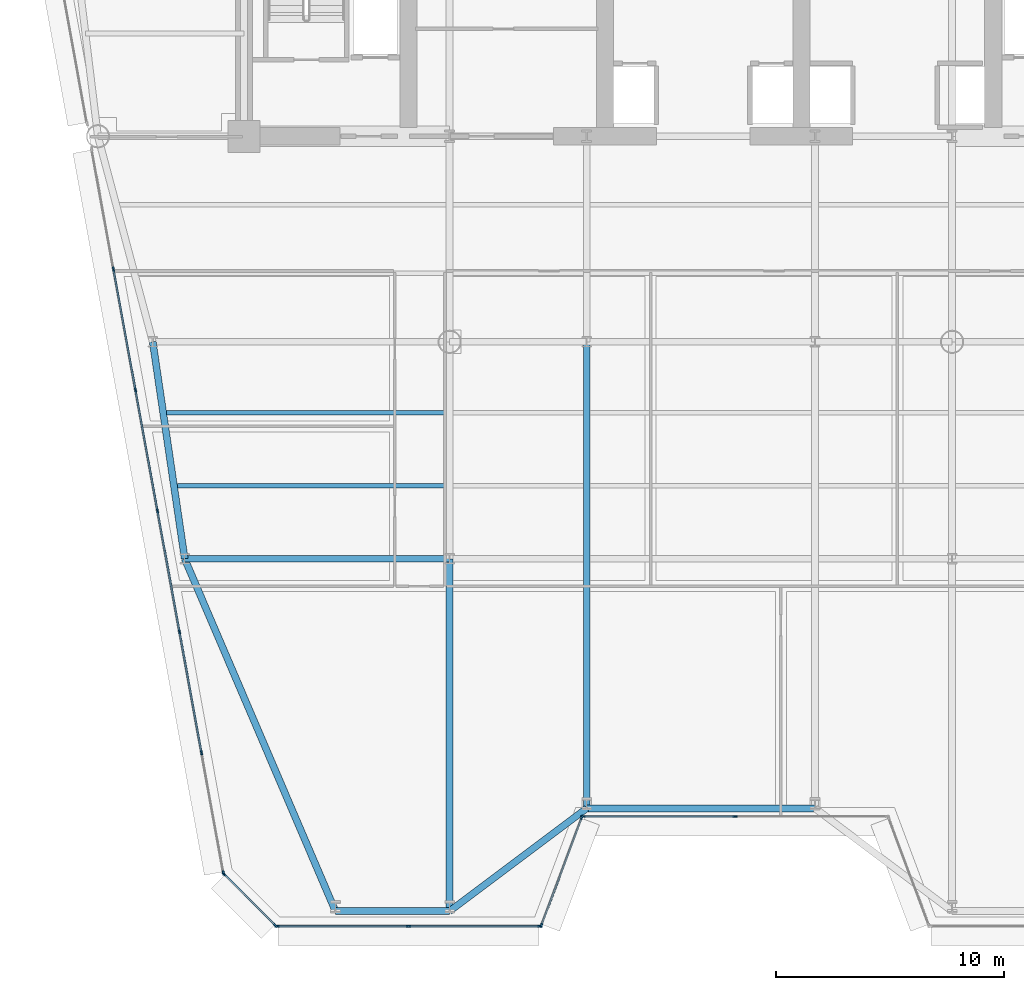
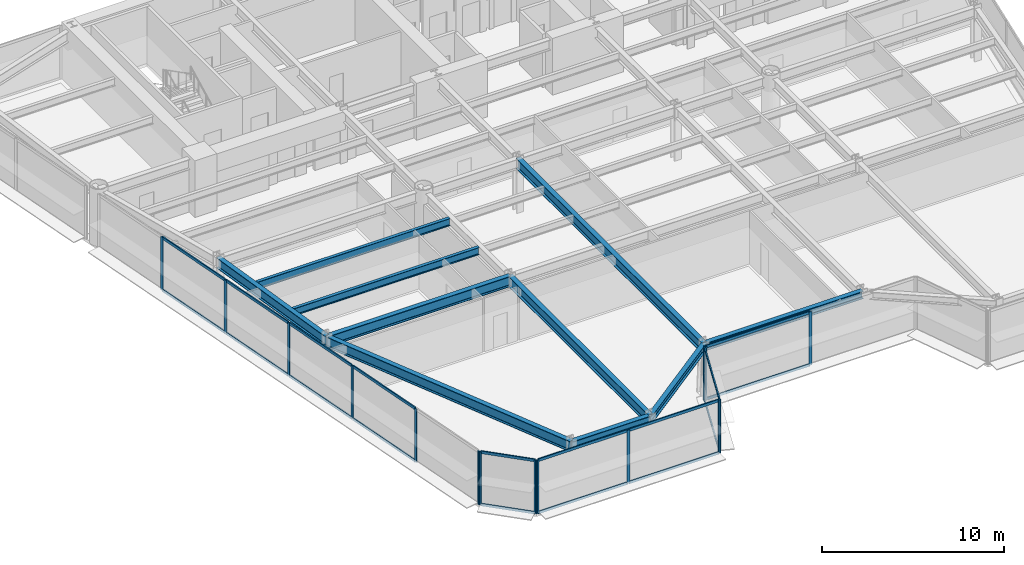
# One storey, part 2 of 14: 33 members, 10 beams, 5 elements without a shape of their own.
"""IFC4 building model written with IfcOpenShell, lengths in metres."""

from ifc_helpers import new_model, si_unit, direction, frame, origin, origin_2d, place, context, subcontext, project, spatial, rectangle, i_section, extrude, source, transform, mapped, material, layer, layer_set, material_profile, profile_set, type_object, element, aggregate, save


model = new_model("IFC4")

# Units and contexts
model_context = context("Model", 3, precision=1e-05, world=origin(), true_north=direction((0.0, 1.0)))
body_context = subcontext(model_context, "Body", "Model", "MODEL_VIEW")
ifc_project = project(units=[si_unit("LENGTHUNIT", "METRE"), si_unit("AREAUNIT", "SQUARE_METRE"), si_unit("VOLUMEUNIT", "CUBIC_METRE"), si_unit("PLANEANGLEUNIT", "RADIAN"), si_unit("MASSUNIT", "GRAM", prefix="KILO")], contexts=[model_context])

# Site, building, storey
site_placement = place(None, origin())
site = spatial("IfcSite", under=ifc_project, at=site_placement, CompositionType="ELEMENT")
building_placement = place(site_placement, origin())
building = spatial("IfcBuilding", under=site, at=building_placement, Name="Vaeldorn Concourse Tower", CompositionType="ELEMENT")
storey_placement = place(building_placement, frame((0.0, 0.0, 114.800048828125)))
storey = spatial("IfcBuildingStorey", under=building, at=storey_placement, Name="L29", CompositionType="ELEMENT", Elevation=114.800048828125)

# Beams
ifc_material_1 = material(Name="Steel S355", Category="steel")
ifc_material_profile_1 = material_profile(ifc_material_1, i_section(OverallWidth=0.199951171875, OverallDepth=0.5, WebThickness=0.01025390625, FlangeThickness=0.01611328125, FilletRadius=0.02099609375, at=origin_2d()), Name="IPE 500")
ifc_profile_set_1 = profile_set([ifc_material_profile_1], Name="Steel S355")
beam_type_1 = type_object("IfcBeamType", Name="BM-JS-IPE500", PredefinedType="JOIST", material=ifc_profile_set_1)
shared_shape_1 = source(origin(), body_context, "Body", "SweptSolid", [
    extrude(i_section(OverallWidth=0.199951171875, OverallDepth=0.5, WebThickness=0.01025390625, FlangeThickness=0.01611328125, FilletRadius=0.02099609375, at=origin_2d()), origin(), (0.0, 0.0, 1.0), 11.771728515625),
])
beam_1_placement = place(storey_placement, frame((11.078369140625, 21.199951171875, 3.329833984375), z_axis=(1.0, 0.0, 0.0), x_axis=(0.0, 1.0, 0.0)))
element("IfcBeam", 1, at=beam_1_placement, inside=storey, type_object=beam_type_1, Name="Beam JS-L29-W1-212", PredefinedType="JOIST", context=body_context, shape_type="MappedRepresentation", body=[
    mapped(shared_shape_1, transform((0.0, 0.0, 0.0), scale=1.0)),
])
shared_shape_2 = source(origin(), body_context, "Body", "SweptSolid", [
    extrude(i_section(OverallWidth=0.199951171875, OverallDepth=0.5, WebThickness=0.01025390625, FlangeThickness=0.01611328125, FilletRadius=0.02099609375, at=origin_2d()), origin(), (0.0, 0.0, 1.0), 12.243408203125),
])
beam_2_placement = place(storey_placement, frame((10.606689453125, 24.39990234375, 3.329833984375), z_axis=(1.0, 0.0, 0.0), x_axis=(0.0, 1.0, 0.0)))
element("IfcBeam", 2, at=beam_2_placement, inside=storey, type_object=beam_type_1, Name="Beam JS-L29-W1-244", PredefinedType="JOIST", context=body_context, shape_type="MappedRepresentation", body=[
    mapped(shared_shape_2, transform((0.0, 0.0, 0.0), scale=1.0)),
])
ifc_material_profile_2 = material_profile(ifc_material_1, i_section(OverallWidth=0.300048828125, OverallDepth=0.5, WebThickness=0.014404296875, FlangeThickness=0.028076171875, FilletRadius=0.027099609375, at=origin_2d()), Name="HEB 500")
ifc_profile_set_2 = profile_set([ifc_material_profile_2], Name="Steel S355")
beam_type_2 = type_object("IfcBeamType", Name="BM-SP-HEB500", PredefinedType="SPANDREL", material=ifc_profile_set_2)
shared_shape_3 = source(origin(), body_context, "Body", "SweptSolid", [
    extrude(i_section(OverallWidth=0.300048828125, OverallDepth=0.5, WebThickness=0.014404296875, FlangeThickness=0.028076171875, FilletRadius=0.027099609375, at=origin_2d()), origin(), (0.0, 0.0, 1.0), 5.0),
])
beam_3_placement = place(storey_placement, frame((18.0, 2.573486328125, 3.329833984375), z_axis=(1.0, 0.0, 0.0), x_axis=(0.0, 1.0, 0.0)))
element("IfcBeam", 3, at=beam_3_placement, inside=storey, type_object=beam_type_2, Name="Beam BM-L29-C-SF1-C-SF2", PredefinedType="SPANDREL", context=body_context, shape_type="MappedRepresentation", body=[
    mapped(shared_shape_3, transform((0.0, 0.0, 0.0), scale=1.0)),
])
shared_shape_4 = source(origin(), body_context, "Body", "SweptSolid", [
    extrude(i_section(OverallWidth=0.300048828125, OverallDepth=0.5, WebThickness=0.014404296875, FlangeThickness=0.028076171875, FilletRadius=0.027099609375, at=origin_2d()), origin(), (0.0, 0.0, 1.0), 7.5),
])
beam_4_placement = place(storey_placement, frame((23.0, 2.573486328125, 3.329833984375), z_axis=(0.8, 0.6, 0.0), x_axis=(-0.6, 0.8, 0.0)))
element("IfcBeam", 4, at=beam_4_placement, inside=storey, type_object=beam_type_2, Name="Beam BM-L29-C-SF2-C-SF3", PredefinedType="SPANDREL", context=body_context, shape_type="MappedRepresentation", body=[
    mapped(shared_shape_4, transform((0.0, 0.0, 0.0), scale=1.0)),
])
shared_shape_5 = source(origin(), body_context, "Body", "SweptSolid", [
    extrude(i_section(OverallWidth=0.300048828125, OverallDepth=0.5, WebThickness=0.014404296875, FlangeThickness=0.028076171875, FilletRadius=0.027099609375, at=origin_2d()), origin(), (0.0, 0.0, 1.0), 10.0),
])
beam_5_placement = place(storey_placement, frame((29.0, 7.073486328125, 3.329833984375), z_axis=(1.0, 0.0, 0.0), x_axis=(0.0, 1.0, 0.0)))
element("IfcBeam", 5, at=beam_5_placement, inside=storey, type_object=beam_type_2, Name="Beam BM-L29-C-SF3-C-SF4", PredefinedType="SPANDREL", context=body_context, shape_type="MappedRepresentation", body=[
    mapped(shared_shape_5, transform((0.0, 0.0, 0.0), scale=1.0)),
])
ifc_material_profile_3 = material_profile(ifc_material_1, i_section(OverallWidth=0.300048828125, OverallDepth=0.699951171875, WebThickness=0.01708984375, FlangeThickness=0.031982421875, FilletRadius=0.027099609375, at=origin_2d()), Name="HEB 700")
ifc_profile_set_3 = profile_set([ifc_material_profile_3], Name="Steel S355")
beam_type_3 = type_object("IfcBeamType", Name="BM-PG-HEB700", PredefinedType="BEAM", material=ifc_profile_set_3)
shared_shape_6 = source(origin(), body_context, "Body", "SweptSolid", [
    extrude(i_section(OverallWidth=0.300048828125, OverallDepth=0.699951171875, WebThickness=0.01708984375, FlangeThickness=0.031982421875, FilletRadius=0.027099609375, at=origin_2d()), origin(), (0.0, 0.0, 1.0), 9.6025390625),
])
beam_6_placement = place(storey_placement, frame((10.0, 27.5, 3.22998046875), z_axis=(0.145783835977, -0.989316467652, 0.0), x_axis=(0.989316467652, 0.145783835977, 0.0)))
element("IfcBeam", 6, at=beam_6_placement, inside=storey, type_object=beam_type_3, Name="Beam BM-L29-C-FLW1-C-FLW2", PredefinedType="BEAM", context=body_context, shape_type="MappedRepresentation", body=[
    mapped(shared_shape_6, transform((0.0, 0.0, 0.0), scale=1.0)),
])
shared_shape_7 = source(origin(), body_context, "Body", "SweptSolid", [
    extrude(i_section(OverallWidth=0.300048828125, OverallDepth=0.699951171875, WebThickness=0.01708984375, FlangeThickness=0.031982421875, FilletRadius=0.027099609375, at=origin_2d()), origin(), (0.0, 0.0, 1.0), 11.60009765625),
])
beam_7_placement = place(storey_placement, frame((11.39990234375, 18.0, 3.22998046875), z_axis=(1.0, 0.0, 0.0), x_axis=(0.0, 1.0, 0.0)))
element("IfcBeam", 7, at=beam_7_placement, inside=storey, type_object=beam_type_3, Name="Beam BM-L29-C-FLW2-C-TW5", PredefinedType="BEAM", context=body_context, shape_type="MappedRepresentation", body=[
    mapped(shared_shape_7, transform((0.0, 0.0, 0.0), scale=1.0)),
])
shared_shape_8 = source(origin(), body_context, "Body", "SweptSolid", [
    extrude(i_section(OverallWidth=0.300048828125, OverallDepth=0.699951171875, WebThickness=0.01708984375, FlangeThickness=0.031982421875, FilletRadius=0.027099609375, at=origin_2d()), origin(), (0.0, 0.0, 1.0), 16.779052734375),
])
beam_8_placement = place(storey_placement, frame((18.0, 2.573486328125, 3.22998046875), z_axis=(-0.393352013889, 0.919387944869, 0.0), x_axis=(-0.919387944869, -0.393352013889, 0.0)))
element("IfcBeam", 8, at=beam_8_placement, inside=storey, type_object=beam_type_3, Name="Beam BM-L29-C-SF1-C-FLW2", PredefinedType="BEAM", context=body_context, shape_type="MappedRepresentation", body=[
    mapped(shared_shape_8, transform((0.0, 0.0, 0.0), scale=1.0)),
])
shared_shape_9 = source(origin(), body_context, "Body", "SweptSolid", [
    extrude(i_section(OverallWidth=0.300048828125, OverallDepth=0.699951171875, WebThickness=0.01708984375, FlangeThickness=0.031982421875, FilletRadius=0.027099609375, at=origin_2d()), origin(), (0.0, 0.0, 1.0), 15.426513671875),
])
beam_9_placement = place(storey_placement, frame((23.0, 2.573486328125, 3.22998046875), z_axis=(0.0, 1.0, 0.0), x_axis=(-1.0, 0.0, 0.0)))
element("IfcBeam", 9, at=beam_9_placement, inside=storey, type_object=beam_type_3, Name="Beam BM-L29-C-SF2-C-TW5", PredefinedType="BEAM", context=body_context, shape_type="MappedRepresentation", body=[
    mapped(shared_shape_9, transform((0.0, 0.0, 0.0), scale=1.0)),
])
shared_shape_10 = source(origin(), body_context, "Body", "SweptSolid", [
    extrude(i_section(OverallWidth=0.300048828125, OverallDepth=0.699951171875, WebThickness=0.01708984375, FlangeThickness=0.031982421875, FilletRadius=0.027099609375, at=origin_2d()), origin(), (0.0, 0.0, 1.0), 20.426513671875),
])
beam_10_placement = place(storey_placement, frame((29.0, 7.073486328125, 3.22998046875), z_axis=(0.0, 1.0, 0.0), x_axis=(-1.0, 0.0, 0.0)))
element("IfcBeam", 10, at=beam_10_placement, inside=storey, type_object=beam_type_3, Name="Beam BM-L29-C-SF3-C-TW2", PredefinedType="BEAM", context=body_context, shape_type="MappedRepresentation", body=[
    mapped(shared_shape_10, transform((0.0, 0.0, 0.0), scale=1.0)),
])

# Curtain wall, members
ifc_material_2 = material(Name="Anodised Bronze Aluminium", Category="aluminium")
ifc_layer = layer(ifc_material_2, 0.199951171875)
ifc_layer_set = layer_set([ifc_layer], Name="Anodised Bronze Aluminium")
curtain_wall_type = type_object("IfcCurtainWallType", Name="CW-SYS-02", PredefinedType="NOTDEFINED", material=ifc_layer_set)
curtain_wall_1_placement = place(storey_placement, origin())
curtain_wall_1 = element("IfcCurtainWall", 11, at=curtain_wall_1_placement, inside=storey, type_object=curtain_wall_type, Name="Unitised Curtain Wall CW-L29-E02-1", PredefinedType="NOTDEFINED")
ifc_material_profile_4 = material_profile(ifc_material_2, rectangle(XDim=0.074951171875, YDim=0.179931640625, at=origin_2d()), Name="CWT 75x180")
ifc_profile_set_4 = profile_set([ifc_material_profile_4], Name="Anodised Bronze Aluminium")
member_type_1 = type_object("IfcMemberType", Name="CWT-BRONZE-180", PredefinedType="USERDEFINED", material=ifc_profile_set_4)
shared_shape_11 = source(origin(), body_context, "Body", "SweptSolid", [
    extrude(rectangle(XDim=0.074951171875, YDim=0.179931640625, at=origin_2d()), origin(), (0.0, 0.0, 1.0), 4.976318359375),
])
member_1_placement = place(storey_placement, frame((27.0263671875, 1.98291015625, 0.037353515625), z_axis=(0.351128818119, 0.936327161352, 0.0), x_axis=(-0.936327161352, 0.351128818119, 0.0)))
member_1 = element("IfcMember", 12, at=member_1_placement, type_object=member_type_1, Name="CW-02 transom 1.1", ObjectType="TRANSOM", PredefinedType="USERDEFINED", context=body_context, shape_type="MappedRepresentation", body=[
    mapped(shared_shape_11, transform((0.0, 0.0, 0.0), scale=1.0)),
])
member_2_placement = place(storey_placement, frame((27.0263671875, 1.98291015625, 3.54248046875), z_axis=(0.351128818119, 0.936327161352, 0.0), x_axis=(-0.936327161352, 0.351128818119, 0.0)))
member_2 = element("IfcMember", 13, at=member_2_placement, type_object=member_type_1, Name="CW-02 transom 1.2", ObjectType="TRANSOM", PredefinedType="USERDEFINED", context=body_context, shape_type="MappedRepresentation", body=[
    mapped(shared_shape_11, transform((0.0, 0.0, 0.0), scale=1.0)),
])

curtain_wall_2_placement = place(storey_placement, origin())
curtain_wall_2 = element("IfcCurtainWall", 14, at=curtain_wall_2_placement, inside=storey, type_object=curtain_wall_type, Name="Unitised Curtain Wall CW-L29-E03-1", PredefinedType="NOTDEFINED")
shared_shape_12 = source(origin(), body_context, "Body", "SweptSolid", [
    extrude(rectangle(XDim=0.074951171875, YDim=0.179931640625, at=origin_2d()), origin(), (0.0, 0.0, 1.0), 6.58740234375),
])
member_3_placement = place(storey_placement, frame((28.875, 6.712646484375, 0.037353515625), z_axis=(1.0, 0.0, 0.0), x_axis=(0.0, 1.0, 0.0)))
member_3 = element("IfcMember", 15, at=member_3_placement, type_object=member_type_1, Name="CW-02 transom 1.1", ObjectType="TRANSOM", PredefinedType="USERDEFINED", context=body_context, shape_type="MappedRepresentation", body=[
    mapped(shared_shape_12, transform((0.0, 0.0, 0.0), scale=1.0)),
])
member_4_placement = place(storey_placement, frame((28.875, 6.712646484375, 3.54248046875), z_axis=(1.0, 0.0, 0.0), x_axis=(0.0, 1.0, 0.0)))
member_4 = element("IfcMember", 16, at=member_4_placement, type_object=member_type_1, Name="CW-02 transom 1.2", ObjectType="TRANSOM", PredefinedType="USERDEFINED", context=body_context, shape_type="MappedRepresentation", body=[
    mapped(shared_shape_12, transform((0.0, 0.0, 0.0), scale=1.0)),
])

curtain_wall_3_placement = place(storey_placement, origin())
curtain_wall_3 = element("IfcCurtainWall", 17, at=curtain_wall_3_placement, inside=storey, type_object=curtain_wall_type, Name="Unitised Curtain Wall CW-L29-E12-1", PredefinedType="NOTDEFINED")
shared_shape_13 = source(origin(), body_context, "Body", "SweptSolid", [
    extrude(rectangle(XDim=0.074951171875, YDim=0.179931640625, at=origin_2d()), origin(), (0.0, 0.0, 1.0), 3.10302734375),
])
member_5_placement = place(storey_placement, frame((13.15234375, 4.15966796875, 0.037353515625), z_axis=(0.707106781187, -0.707106781187, 0.0), x_axis=(0.707106781187, 0.707106781187, 0.0)))
member_5 = element("IfcMember", 18, at=member_5_placement, type_object=member_type_1, Name="CW-02 transom 1.1", ObjectType="TRANSOM", PredefinedType="USERDEFINED", context=body_context, shape_type="MappedRepresentation", body=[
    mapped(shared_shape_13, transform((0.0, 0.0, 0.0), scale=1.0)),
])
member_6_placement = place(storey_placement, frame((13.15234375, 4.15966796875, 3.54248046875), z_axis=(0.707106781187, -0.707106781187, 0.0), x_axis=(0.707106781187, 0.707106781187, 0.0)))
member_6 = element("IfcMember", 19, at=member_6_placement, type_object=member_type_1, Name="CW-02 transom 1.2", ObjectType="TRANSOM", PredefinedType="USERDEFINED", context=body_context, shape_type="MappedRepresentation", body=[
    mapped(shared_shape_13, transform((0.0, 0.0, 0.0), scale=1.0)),
])

curtain_wall_4_placement = place(storey_placement, origin())
curtain_wall_4 = element("IfcCurtainWall", 20, at=curtain_wall_4_placement, inside=storey, type_object=curtain_wall_type, Name="Unitised Curtain Wall CW-L29-E01-1", PredefinedType="NOTDEFINED")
shared_shape_14 = source(origin(), body_context, "Body", "SweptSolid", [
    extrude(rectangle(XDim=0.074951171875, YDim=0.179931640625, at=origin_2d()), origin(), (0.0, 0.0, 1.0), 5.687744140625),
])
member_7_placement = place(storey_placement, frame((15.474365234375, 1.91259765625, 0.037353515625), z_axis=(1.0, 0.0, 0.0), x_axis=(0.0, 1.0, 0.0)))
member_7 = element("IfcMember", 21, at=member_7_placement, type_object=member_type_1, Name="CW-02 transom 1.1", ObjectType="TRANSOM", PredefinedType="USERDEFINED", context=body_context, shape_type="MappedRepresentation", body=[
    mapped(shared_shape_14, transform((0.0, 0.0, 0.0), scale=1.0)),
])
member_8_placement = place(storey_placement, frame((15.474365234375, 1.91259765625, 3.54248046875), z_axis=(1.0, 0.0, 0.0), x_axis=(0.0, 1.0, 0.0)))
member_8 = element("IfcMember", 22, at=member_8_placement, type_object=member_type_1, Name="CW-02 transom 1.2", ObjectType="TRANSOM", PredefinedType="USERDEFINED", context=body_context, shape_type="MappedRepresentation", body=[
    mapped(shared_shape_14, transform((0.0, 0.0, 0.0), scale=1.0)),
])
member_9_placement = place(storey_placement, frame((21.2373046875, 1.91259765625, 0.037353515625), z_axis=(1.0, 0.0, 0.0), x_axis=(0.0, 1.0, 0.0)))
member_9 = element("IfcMember", 23, at=member_9_placement, type_object=member_type_1, Name="CW-02 transom 2.1", ObjectType="TRANSOM", PredefinedType="USERDEFINED", context=body_context, shape_type="MappedRepresentation", body=[
    mapped(shared_shape_14, transform((0.0, 0.0, 0.0), scale=1.0)),
])
member_10_placement = place(storey_placement, frame((21.2373046875, 1.91259765625, 3.54248046875), z_axis=(1.0, 0.0, 0.0), x_axis=(0.0, 1.0, 0.0)))
member_10 = element("IfcMember", 24, at=member_10_placement, type_object=member_type_1, Name="CW-02 transom 2.2", ObjectType="TRANSOM", PredefinedType="USERDEFINED", context=body_context, shape_type="MappedRepresentation", body=[
    mapped(shared_shape_14, transform((0.0, 0.0, 0.0), scale=1.0)),
])
ifc_material_profile_5 = material_profile(ifc_material_2, rectangle(XDim=0.074951171875, YDim=0.18994140625, at=origin_2d()), Name="CWM 75x190")
ifc_profile_set_5 = profile_set([ifc_material_profile_5], Name="Anodised Bronze Aluminium")
member_type_2 = type_object("IfcMemberType", Name="CWM-BRONZE-190", PredefinedType="MULLION", material=ifc_profile_set_5)
shared_shape_15 = source(origin(), body_context, "Body", "SweptSolid", [
    extrude(rectangle(XDim=0.074951171875, YDim=0.18994140625, at=origin_2d()), origin(), (0.0, 0.0, 1.0), 3.579833984375),
])
member_11_placement = place(storey_placement, frame((15.43701171875, 1.91259765625, 0.0), z_axis=(0.0, 0.0, 1.0), x_axis=(0.0, 1.0, 0.0)))
member_11 = element("IfcMember", 25, at=member_11_placement, type_object=member_type_2, Name="CW-02 mullion 1", PredefinedType="MULLION", context=body_context, shape_type="MappedRepresentation", body=[
    mapped(shared_shape_15, transform((0.0, 0.0, 0.0), scale=1.0)),
])
member_12_placement = place(storey_placement, frame((21.19970703125, 1.91259765625, 0.0), z_axis=(0.0, 0.0, 1.0), x_axis=(0.0, 1.0, 0.0)))
member_12 = element("IfcMember", 26, at=member_12_placement, type_object=member_type_2, Name="CW-02 mullion 2", PredefinedType="MULLION", context=body_context, shape_type="MappedRepresentation", body=[
    mapped(shared_shape_15, transform((0.0, 0.0, 0.0), scale=1.0)),
])
member_13_placement = place(storey_placement, frame((26.96240234375, 1.91259765625, 0.0), z_axis=(0.0, 0.0, 1.0), x_axis=(0.0, 1.0, 0.0)))
member_13 = element("IfcMember", 27, at=member_13_placement, type_object=member_type_2, Name="CW-02 mullion 3", PredefinedType="MULLION", context=body_context, shape_type="MappedRepresentation", body=[
    mapped(shared_shape_15, transform((0.0, 0.0, 0.0), scale=1.0)),
])
aggregate(curtain_wall_4, [member_11, member_12, member_13, member_7, member_8, member_9, member_10])

# Member
member_14_placement = place(storey_placement, frame((27.01318359375, 1.94775390625, 0.0), z_axis=(0.0, 0.0, 1.0), x_axis=(-0.936329177566, 0.351123441595, 0.0)))
member_14 = element("IfcMember", 28, at=member_14_placement, type_object=member_type_2, Name="CW-02 mullion 1", PredefinedType="MULLION", context=body_context, shape_type="MappedRepresentation", body=[
    mapped(shared_shape_15, transform((0.0, 0.0, 0.0), scale=1.0)),
])

member_15_placement = place(storey_placement, frame((28.786865234375, 6.677490234375, 0.0), z_axis=(0.0, 0.0, 1.0), x_axis=(-0.936329177566, 0.351123441595, 0.0)))
member_15 = element("IfcMember", 29, at=member_15_placement, type_object=member_type_2, Name="CW-02 mullion 2", PredefinedType="MULLION", context=body_context, shape_type="MappedRepresentation", body=[
    mapped(shared_shape_15, transform((0.0, 0.0, 0.0), scale=1.0)),
])

aggregate(curtain_wall_1, [member_14, member_15, member_1, member_2])

member_16_placement = place(storey_placement, frame((28.83740234375, 6.712646484375, 0.0), z_axis=(0.0, 0.0, 1.0), x_axis=(0.0, 1.0, 0.0)))
member_16 = element("IfcMember", 30, at=member_16_placement, type_object=member_type_2, Name="CW-02 mullion 1", PredefinedType="MULLION", context=body_context, shape_type="MappedRepresentation", body=[
    mapped(shared_shape_15, transform((0.0, 0.0, 0.0), scale=1.0)),
])

member_17_placement = place(storey_placement, frame((35.5, 6.712646484375, 0.0), z_axis=(0.0, 0.0, 1.0), x_axis=(0.0, 1.0, 0.0)))
member_17 = element("IfcMember", 31, at=member_17_placement, type_object=member_type_2, Name="CW-02 mullion 2", PredefinedType="MULLION", context=body_context, shape_type="MappedRepresentation", body=[
    mapped(shared_shape_15, transform((0.0, 0.0, 0.0), scale=1.0)),
])

aggregate(curtain_wall_2, [member_16, member_17, member_3, member_4])

# Curtain wall, members
curtain_wall_5_placement = place(storey_placement, origin())
curtain_wall_5 = element("IfcCurtainWall", 32, at=curtain_wall_5_placement, inside=storey, type_object=curtain_wall_type, Name="Unitised Curtain Wall CW-L29-E11-2", PredefinedType="NOTDEFINED")
member_18_placement = place(storey_placement, frame((8.279296875, 30.68701171875, 0.0), z_axis=(0.0, 0.0, 1.0), x_axis=(0.983827667432, 0.179117617213, 0.0)))
member_18 = element("IfcMember", 33, at=member_18_placement, type_object=member_type_2, Name="CW-02 mullion 2", PredefinedType="MULLION", context=body_context, shape_type="MappedRepresentation", body=[
    mapped(shared_shape_15, transform((0.0, 0.0, 0.0), scale=1.0)),
])
member_19_placement = place(storey_placement, frame((9.243408203125, 25.39208984375, 0.0), z_axis=(0.0, 0.0, 1.0), x_axis=(0.983827667432, 0.179117617213, 0.0)))
member_19 = element("IfcMember", 34, at=member_19_placement, type_object=member_type_2, Name="CW-02 mullion 3", PredefinedType="MULLION", context=body_context, shape_type="MappedRepresentation", body=[
    mapped(shared_shape_15, transform((0.0, 0.0, 0.0), scale=1.0)),
])
member_20_placement = place(storey_placement, frame((10.20751953125, 20.097412109375, 0.0), z_axis=(0.0, 0.0, 1.0), x_axis=(0.983827667432, 0.179117617213, 0.0)))
member_20 = element("IfcMember", 35, at=member_20_placement, type_object=member_type_2, Name="CW-02 mullion 4", PredefinedType="MULLION", context=body_context, shape_type="MappedRepresentation", body=[
    mapped(shared_shape_15, transform((0.0, 0.0, 0.0), scale=1.0)),
])
member_21_placement = place(storey_placement, frame((11.17138671875, 14.802490234375, 0.0), z_axis=(0.0, 0.0, 1.0), x_axis=(0.983827667432, 0.179117617213, 0.0)))
member_21 = element("IfcMember", 36, at=member_21_placement, type_object=member_type_2, Name="CW-02 mullion 5", PredefinedType="MULLION", context=body_context, shape_type="MappedRepresentation", body=[
    mapped(shared_shape_15, transform((0.0, 0.0, 0.0), scale=1.0)),
])
member_22_placement = place(storey_placement, frame((12.135498046875, 9.507568359375, 0.0), z_axis=(0.0, 0.0, 1.0), x_axis=(0.983827667432, 0.179117617213, 0.0)))
member_22 = element("IfcMember", 37, at=member_22_placement, type_object=member_type_2, Name="CW-02 mullion 6", PredefinedType="MULLION", context=body_context, shape_type="MappedRepresentation", body=[
    mapped(shared_shape_15, transform((0.0, 0.0, 0.0), scale=1.0)),
])
member_23_placement = place(storey_placement, frame((13.0927734375, 4.24951171875, 0.0), z_axis=(0.0, 0.0, 1.0), x_axis=(0.983827667432, 0.179117617213, 0.0)))
member_23 = element("IfcMember", 38, at=member_23_placement, type_object=member_type_2, Name="CW-02 mullion 7", PredefinedType="MULLION", context=body_context, shape_type="MappedRepresentation", body=[
    mapped(shared_shape_15, transform((0.0, 0.0, 0.0), scale=1.0)),
])

# Member
member_24_placement = place(storey_placement, frame((13.1259765625, 4.18603515625, 0.0), z_axis=(0.0, 0.0, 1.0), x_axis=(0.707106781187, 0.707106781187, 0.0)))
member_24 = element("IfcMember", 39, at=member_24_placement, type_object=member_type_2, Name="CW-02 mullion 1", PredefinedType="MULLION", context=body_context, shape_type="MappedRepresentation", body=[
    mapped(shared_shape_15, transform((0.0, 0.0, 0.0), scale=1.0)),
])

member_25_placement = place(storey_placement, frame((15.372802734375, 1.939208984375, 0.0), z_axis=(0.0, 0.0, 1.0), x_axis=(0.707106781187, 0.707106781187, 0.0)))
member_25 = element("IfcMember", 40, at=member_25_placement, type_object=member_type_2, Name="CW-02 mullion 2", PredefinedType="MULLION", context=body_context, shape_type="MappedRepresentation", body=[
    mapped(shared_shape_15, transform((0.0, 0.0, 0.0), scale=1.0)),
])

aggregate(curtain_wall_3, [member_24, member_25, member_5, member_6])

shared_shape_16 = source(origin(), body_context, "Body", "SweptSolid", [
    extrude(rectangle(XDim=0.074951171875, YDim=0.179931640625, at=origin_2d()), origin(), (0.0, 0.0, 1.0), 5.306884765625),
])
member_26_placement = place(storey_placement, frame((9.25, 25.355224609375, 0.037353515625), z_axis=(0.179144533695, -0.983822766583, 0.0), x_axis=(0.983822766583, 0.179144533695, 0.0)))
member_26 = element("IfcMember", 41, at=member_26_placement, type_object=member_type_1, Name="CW-02 transom 3.1", ObjectType="TRANSOM", PredefinedType="USERDEFINED", context=body_context, shape_type="MappedRepresentation", body=[
    mapped(shared_shape_16, transform((0.0, 0.0, 0.0), scale=1.0)),
])

member_27_placement = place(storey_placement, frame((9.25, 25.355224609375, 3.54248046875), z_axis=(0.179144533695, -0.983822766583, 0.0), x_axis=(0.983822766583, 0.179144533695, 0.0)))
member_27 = element("IfcMember", 42, at=member_27_placement, type_object=member_type_1, Name="CW-02 transom 3.2", ObjectType="TRANSOM", PredefinedType="USERDEFINED", context=body_context, shape_type="MappedRepresentation", body=[
    mapped(shared_shape_16, transform((0.0, 0.0, 0.0), scale=1.0)),
])

member_28_placement = place(storey_placement, frame((10.214111328125, 20.060302734375, 0.037353515625), z_axis=(0.179144533695, -0.983822766583, 0.0), x_axis=(0.983822766583, 0.179144533695, 0.0)))
member_28 = element("IfcMember", 43, at=member_28_placement, type_object=member_type_1, Name="CW-02 transom 4.1", ObjectType="TRANSOM", PredefinedType="USERDEFINED", context=body_context, shape_type="MappedRepresentation", body=[
    mapped(shared_shape_16, transform((0.0, 0.0, 0.0), scale=1.0)),
])

member_29_placement = place(storey_placement, frame((10.214111328125, 20.060302734375, 3.54248046875), z_axis=(0.179144533695, -0.983822766583, 0.0), x_axis=(0.983822766583, 0.179144533695, 0.0)))
member_29 = element("IfcMember", 44, at=member_29_placement, type_object=member_type_1, Name="CW-02 transom 4.2", ObjectType="TRANSOM", PredefinedType="USERDEFINED", context=body_context, shape_type="MappedRepresentation", body=[
    mapped(shared_shape_16, transform((0.0, 0.0, 0.0), scale=1.0)),
])

member_30_placement = place(storey_placement, frame((11.17822265625, 14.765625, 0.037353515625), z_axis=(0.179091898284, -0.983832349524, 0.0), x_axis=(0.983832349524, 0.179091898284, 0.0)))
member_30 = element("IfcMember", 45, at=member_30_placement, type_object=member_type_1, Name="CW-02 transom 5.1", ObjectType="TRANSOM", PredefinedType="USERDEFINED", context=body_context, shape_type="MappedRepresentation", body=[
    mapped(shared_shape_16, transform((0.0, 0.0, 0.0), scale=1.0)),
])

member_31_placement = place(storey_placement, frame((11.17822265625, 14.765625, 3.54248046875), z_axis=(0.179091898284, -0.983832349524, 0.0), x_axis=(0.983832349524, 0.179091898284, 0.0)))
member_31 = element("IfcMember", 46, at=member_31_placement, type_object=member_type_1, Name="CW-02 transom 5.2", ObjectType="TRANSOM", PredefinedType="USERDEFINED", context=body_context, shape_type="MappedRepresentation", body=[
    mapped(shared_shape_16, transform((0.0, 0.0, 0.0), scale=1.0)),
])

shared_shape_17 = source(origin(), body_context, "Body", "SweptSolid", [
    extrude(rectangle(XDim=0.074951171875, YDim=0.179931640625, at=origin_2d()), origin(), (0.0, 0.0, 1.0), 5.306640625),
])
member_32_placement = place(storey_placement, frame((8.2861328125, 30.650146484375, 0.037353515625), z_axis=(0.179100004308, -0.983830873909, 0.0), x_axis=(0.983830873909, 0.179100004308, 0.0)))
member_32 = element("IfcMember", 47, at=member_32_placement, type_object=member_type_1, Name="CW-02 transom 2.1", ObjectType="TRANSOM", PredefinedType="USERDEFINED", context=body_context, shape_type="MappedRepresentation", body=[
    mapped(shared_shape_17, transform((0.0, 0.0, 0.0), scale=1.0)),
])

member_33_placement = place(storey_placement, frame((8.2861328125, 30.650146484375, 3.54248046875), z_axis=(0.179100004308, -0.983830873909, 0.0), x_axis=(0.983830873909, 0.179100004308, 0.0)))
member_33 = element("IfcMember", 48, at=member_33_placement, type_object=member_type_1, Name="CW-02 transom 2.2", ObjectType="TRANSOM", PredefinedType="USERDEFINED", context=body_context, shape_type="MappedRepresentation", body=[
    mapped(shared_shape_17, transform((0.0, 0.0, 0.0), scale=1.0)),
])

aggregate(curtain_wall_5, [member_18, member_19, member_20, member_21, member_22, member_23, member_32, member_33, member_26, member_27, member_28, member_29, member_30, member_31])

save(model, "model.ifc")
